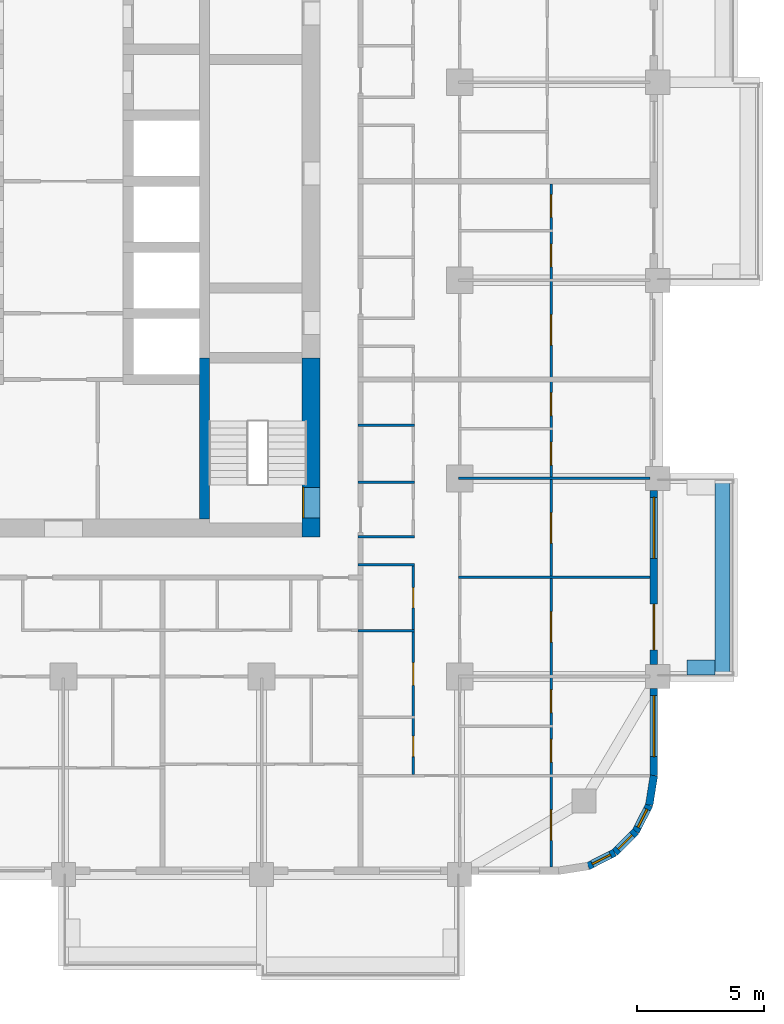
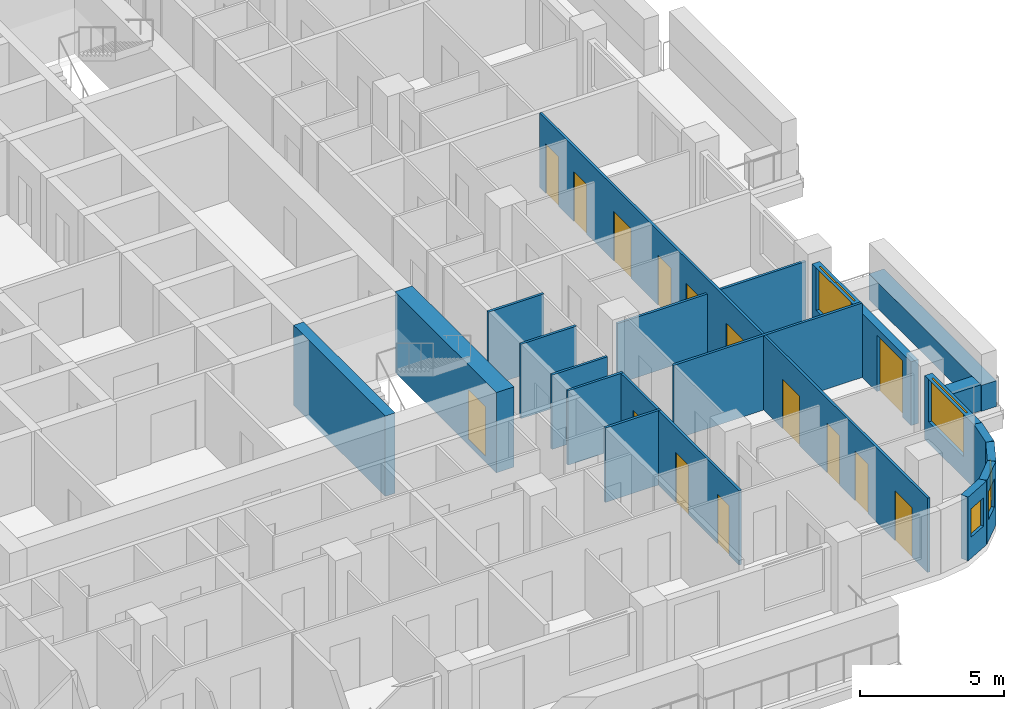
# One storey, part 8 of 18: 19 walls, 15 doors, 5 windows, 20 openings.
"""IFC4 building model written with IfcOpenShell, lengths in metres."""

from ifc_helpers import new_model, si_unit, direction, frame, frame_2d, origin, place, context, subcontext, project, spatial, rectangle, extrude, material, layer, layer_set, type_object, element, fill, save


model = new_model("IFC4")

# Units and contexts
model_context = context("Model", 3, precision=1e-05, world=origin(), true_north=direction((0.0, 1.0)))
body_context = subcontext(model_context, "Body", "Model", "MODEL_VIEW")
ifc_project = project(units=[si_unit("LENGTHUNIT", "METRE"), si_unit("AREAUNIT", "SQUARE_METRE"), si_unit("VOLUMEUNIT", "CUBIC_METRE"), si_unit("PLANEANGLEUNIT", "RADIAN"), si_unit("MASSUNIT", "GRAM", prefix="KILO")], contexts=[model_context])

# Site, building, storey
site_placement = place(None, origin())
site = spatial("IfcSite", under=ifc_project, at=site_placement, CompositionType="ELEMENT")
building_placement = place(site_placement, origin())
building = spatial("IfcBuilding", under=site, at=building_placement, Name="Ludao Terraces", CompositionType="ELEMENT")
storey_placement = place(building_placement, frame((0.0, 0.0, 75.0)))
storey = spatial("IfcBuildingStorey", under=building, at=storey_placement, Name="L20", CompositionType="ELEMENT", Elevation=75.0)

# Wall, opening, door
ifc_material_1 = material(Name="Concrete C70", Category="concrete")
ifc_layer_1 = layer(ifc_material_1, 0.699951171875)
ifc_layer_set_1 = layer_set([ifc_layer_1], Name="Core wall 700 C70")
wall_type_1 = type_object("IfcWallType", Name="Core wall 700 C70", PredefinedType="SOLIDWALL", material=ifc_layer_set_1)
wall_1_placement = place(storey_placement, frame((94.75, 54.89990234375, -0.25), z_axis=(0.0, 0.0, 1.0), x_axis=(0.0, 1.0, 0.0)))
wall_1 = element("IfcWall", 1, at=wall_1_placement, inside=storey, type_object=wall_type_1, Name="Core wall L20 outer-E-S3", PredefinedType="SOLIDWALL", context=body_context, shape_type="SweptSolid", body=[
    extrude(rectangle(XDim=7.050048828125, YDim=0.699951171875, at=frame_2d((3.52490234375, 0.0))), origin(), (0.0, 0.0, 1.0), 3.39990234375),
])
opening_1_placement = place(wall_1_placement, frame((0.75, 0.0, 0.25)))
opening_1 = element("IfcOpeningElement", 2, at=opening_1_placement, cuts=wall_1, Name="Opening R06-059", PredefinedType="OPENING", context=body_context, shape_type="SweptSolid", body=[
    extrude(rectangle(XDim=1.199951171875, YDim=2.10009765625, at=frame_2d((0.60009765625, 1.050048828125))), frame((0.0, 0.35986328125, 0.0), z_axis=(0.0, -1.0, 0.0), x_axis=(1.0, 0.0, 0.0)), (0.0, 0.0, 1.0), 0.719970703125),
])
ifc_material_2 = material(Name="Steel Q235", Category="steel")
door_type_1 = type_object("IfcDoorType", Name="INT Stair door 1200", OperationType="DOUBLE_DOOR_SINGLE_SWING", PredefinedType="DOOR", material=ifc_material_2)
door_1_placement = place(opening_1_placement, origin())
door_1 = element("IfcDoor", 3, at=door_1_placement, inside=storey, type_object=door_type_1, Name="DOOR 059", OperationType="DOUBLE_DOOR_SINGLE_SWING", OverallHeight=2.10009765625, OverallWidth=1.199951171875, PredefinedType="DOOR", context=body_context, shape_type="SweptSolid", body=[
    extrude(rectangle(XDim=1.199951171875, YDim=2.10009765625, at=frame_2d((0.60009765625, 1.050048828125))), frame((0.0, 0.3349609375, 0.0), z_axis=(0.0, -1.0, 0.0), x_axis=(1.0, 0.0, 0.0)), (0.0, 0.0, 1.0), 0.050048828125),
])
fill(opening_1, door_1)

# Walls
ifc_material_3 = material(Name="Concrete C40", Category="concrete")
ifc_layer_2 = layer(ifc_material_3, 0.60009765625)
ifc_layer_set_2 = layer_set([ifc_layer_2], Name="ENV Planter trough 600")
wall_type_2 = type_object("IfcWallType", Name="ENV Planter trough 600", PredefinedType="USERDEFINED", material=ifc_layer_set_2)
wall_2_placement = place(storey_placement, frame((110.949951171875, 49.39990234375, 0.0), z_axis=(0.0, 0.0, 1.0), x_axis=(0.0, 1.0, 0.0)))
element("IfcWall", 4, at=wall_2_placement, inside=storey, type_object=wall_type_2, Name="PL-L20-E1", ObjectType="PLANTER", PredefinedType="USERDEFINED", context=body_context, shape_type="SweptSolid", body=[
    extrude(rectangle(XDim=7.800048828125, YDim=0.60009765625, at=frame_2d((3.89990234375, 0.0))), origin(), (0.0, 0.0, 1.0), 1.10009765625),
])
wall_3_placement = place(storey_placement, frame((110.64990234375, 49.75, 0.0), z_axis=(0.0, 0.0, 1.0), x_axis=(-1.0, 0.0, 0.0)))
element("IfcWall", 5, at=wall_3_placement, inside=storey, type_object=wall_type_2, Name="PL-L20-E1-SA", ObjectType="PLANTER", PredefinedType="USERDEFINED", context=body_context, shape_type="SweptSolid", body=[
    extrude(rectangle(XDim=1.099853515625, YDim=0.60009765625, at=frame_2d((0.5498046875, 0.0))), origin(), (0.0, 0.0, 1.0), 1.10009765625),
])

# Wall, opening, window
ifc_material_4 = material(Name="Granite cladding", Category="masonry")
ifc_layer_3 = layer(ifc_material_4, 0.0400390625, Category="stone")
ifc_material_5 = material(Name="Mineral wool")
ifc_layer_4 = layer(ifc_material_5, 0.06005859375)
ifc_layer_5 = layer(ifc_material_3, 0.199951171875, Category="concrete")
ifc_layer_set_3 = layer_set([ifc_layer_3, ifc_layer_4, ifc_layer_5], Name="ENV Stone-clad wall 300")
wall_type_3 = type_object("IfcWallType", Name="ENV Stone-clad wall 300", PredefinedType="SOLIDWALL", material=ifc_layer_set_3)
wall_4_placement = place(storey_placement, frame((108.25, 45.5, 0.0), z_axis=(0.0, 0.0, 1.0), x_axis=(0.0, 1.0, 0.0)))
wall_4 = element("IfcWall", 6, at=wall_4_placement, inside=storey, type_object=wall_type_3, Name="EW-L20-E1", PredefinedType="SOLIDWALL", context=body_context, shape_type="SweptSolid", body=[
    extrude(rectangle(XDim=3.425048828125, YDim=0.300048828125, at=frame_2d((1.71240234375, 0.0))), origin(), (0.0, 0.0, 1.0), 2.699951171875),
])
opening_2_placement = place(wall_4_placement, frame((0.75, 0.0, 0.89990234375)))
opening_2 = element("IfcOpeningElement", 7, at=opening_2_placement, cuts=wall_4, Name="Opening W1", PredefinedType="OPENING", context=body_context, shape_type="SweptSolid", body=[
    extrude(rectangle(XDim=2.39990234375, YDim=1.800048828125, at=frame_2d((1.199951171875, 0.89990234375))), frame((0.0, 0.16015625, 0.0), z_axis=(0.0, -1.0, 0.0), x_axis=(1.0, 0.0, 0.0)), (0.0, 0.0, 1.0), 0.320068359375),
])
ifc_material_6 = material(Name="Clear glass in aluminium frame", Category="aluminium")
ifc_layer_6 = layer(ifc_material_6, 0.06005859375)
ifc_layer_set_4 = layer_set([ifc_layer_6], Name="ENV Window W1 2400x1800")
window_type_1 = type_object("IfcWindowType", Name="ENV Window W1 2400x1800", PartitioningType="DOUBLE_PANEL_VERTICAL", PredefinedType="WINDOW", material=ifc_layer_set_4)
window_1_placement = place(opening_2_placement, origin())
window_1 = element("IfcWindow", 8, at=window_1_placement, inside=storey, type_object=window_type_1, Name="W-L20-E1-1", OverallHeight=1.800048828125, OverallWidth=2.39990234375, PartitioningType="DOUBLE_PANEL_VERTICAL", PredefinedType="WINDOW", context=body_context, shape_type="SweptSolid", body=[
    extrude(rectangle(XDim=2.39990234375, YDim=1.800048828125, at=frame_2d((1.199951171875, 0.89990234375))), frame((0.0, 0.030029296875, 0.0), z_axis=(0.0, -1.0, 0.0), x_axis=(1.0, 0.0, 0.0)), (0.0, 0.0, 1.0), 0.06005859375),
])
fill(opening_2, window_1)

# Wall, openings, door, window
wall_5_placement = place(storey_placement, frame((108.25, 49.875, 0.0), z_axis=(0.0, 0.0, 1.0), x_axis=(0.0, 1.0, 0.0)))
wall_5 = element("IfcWall", 9, at=wall_5_placement, inside=storey, type_object=wall_type_3, Name="EW-L20-E2", PredefinedType="SOLIDWALL", context=body_context, shape_type="SweptSolid", body=[
    extrude(rectangle(XDim=6.85009765625, YDim=0.300048828125, at=frame_2d((3.425048828125, 0.0))), origin(), (0.0, 0.0, 1.0), 2.699951171875),
])
opening_3_placement = place(wall_5_placement, frame((0.574951171875, 0.0, 0.0)))
opening_3 = element("IfcOpeningElement", 10, at=opening_3_placement, cuts=wall_5, Name="Opening BD", PredefinedType="OPENING", context=body_context, shape_type="SweptSolid", body=[
    extrude(rectangle(XDim=1.800048828125, YDim=2.39990234375, at=frame_2d((0.89990234375, 1.199951171875))), frame((0.0, 0.16015625, 0.0), z_axis=(0.0, -1.0, 0.0), x_axis=(1.0, 0.0, 0.0)), (0.0, 0.0, 1.0), 0.320068359375),
])
opening_4_placement = place(wall_5_placement, frame((4.175048828125, 0.0, 0.89990234375)))
opening_4 = element("IfcOpeningElement", 11, at=opening_4_placement, cuts=wall_5, Name="Opening W1", PredefinedType="OPENING", context=body_context, shape_type="SweptSolid", body=[
    extrude(rectangle(XDim=2.39990234375, YDim=1.800048828125, at=frame_2d((1.199951171875, 0.89990234375))), frame((0.0, 0.16015625, 0.0), z_axis=(0.0, -1.0, 0.0), x_axis=(1.0, 0.0, 0.0)), (0.0, 0.0, 1.0), 0.320068359375),
])
ifc_material_7 = material(Name="Aluminium glazed door", Category="aluminium")
ifc_layer_7 = layer(ifc_material_7, 0.06005859375)
ifc_layer_set_5 = layer_set([ifc_layer_7], Name="ENV Balcony door BD 1800x2400")
door_type_2 = type_object("IfcDoorType", Name="ENV Balcony door BD 1800x2400", OperationType="DOUBLE_DOOR_SINGLE_SWING", PredefinedType="DOOR", material=ifc_layer_set_5)
door_2_placement = place(opening_3_placement, origin())
door_2 = element("IfcDoor", 12, at=door_2_placement, inside=storey, type_object=door_type_2, Name="BD-L20-E2-1", OperationType="DOUBLE_DOOR_SINGLE_SWING", OverallHeight=2.39990234375, OverallWidth=1.800048828125, PredefinedType="DOOR", context=body_context, shape_type="SweptSolid", body=[
    extrude(rectangle(XDim=1.800048828125, YDim=2.39990234375, at=frame_2d((0.89990234375, 1.199951171875))), frame((0.0, 0.02490234375, 0.0), z_axis=(0.0, -1.0, 0.0), x_axis=(1.0, 0.0, 0.0)), (0.0, 0.0, 1.0), 0.050048828125),
])
fill(opening_3, door_2)
window_2_placement = place(opening_4_placement, origin())
window_2 = element("IfcWindow", 13, at=window_2_placement, inside=storey, type_object=window_type_1, Name="W-L20-E2-2", OverallHeight=1.800048828125, OverallWidth=2.39990234375, PartitioningType="DOUBLE_PANEL_VERTICAL", PredefinedType="WINDOW", context=body_context, shape_type="SweptSolid", body=[
    extrude(rectangle(XDim=2.39990234375, YDim=1.800048828125, at=frame_2d((1.199951171875, 0.89990234375))), frame((0.0, 0.030029296875, 0.0), z_axis=(0.0, -1.0, 0.0), x_axis=(1.0, 0.0, 0.0)), (0.0, 0.0, 1.0), 0.06005859375),
])
fill(opening_4, window_2)

# Wall, opening, window
wall_6_placement = place(storey_placement, frame((105.65869140625, 41.93359375, 0.0), z_axis=(0.0, 0.0, 1.0), x_axis=(0.890988677504, 0.454025524128, 0.0)))
wall_6 = element("IfcWall", 14, at=wall_6_placement, inside=storey, type_object=wall_type_3, Name="EW-L20-SE2", PredefinedType="SOLIDWALL", context=body_context, shape_type="SweptSolid", body=[
    extrude(rectangle(XDim=1.17333984375, YDim=0.300048828125, at=frame_2d((0.586669921875, 0.0))), origin(), (0.0, 0.0, 1.0), 2.699951171875),
])
opening_5_placement = place(wall_6_placement, frame((0.1865234375, 0.0, 0.89990234375)))
opening_5 = element("IfcOpeningElement", 15, at=opening_5_placement, cuts=wall_6, Name="Opening W3", PredefinedType="OPENING", context=body_context, shape_type="SweptSolid", body=[
    extrude(rectangle(XDim=0.800048828125, YDim=1.199951171875, at=frame_2d((0.39990234375, 0.60009765625))), frame((0.0, 0.16015625, 0.0), z_axis=(0.0, -1.0, 0.0), x_axis=(1.0, 0.0, 0.0)), (0.0, 0.0, 1.0), 0.320068359375),
])
ifc_layer_8 = layer(ifc_material_6, 0.06005859375)
ifc_layer_set_6 = layer_set([ifc_layer_8], Name="ENV Window W3 800x1200")
window_type_2 = type_object("IfcWindowType", Name="ENV Window W3 800x1200", PartitioningType="SINGLE_PANEL", PredefinedType="WINDOW", material=ifc_layer_set_6)
window_3_placement = place(opening_5_placement, origin())
window_3 = element("IfcWindow", 16, at=window_3_placement, inside=storey, type_object=window_type_2, Name="W-L20-SE2", OverallHeight=1.199951171875, OverallWidth=0.800048828125, PartitioningType="SINGLE_PANEL", PredefinedType="WINDOW", context=body_context, shape_type="SweptSolid", body=[
    extrude(rectangle(XDim=0.800048828125, YDim=1.199951171875, at=frame_2d((0.39990234375, 0.60009765625))), frame((0.0, 0.030029296875, 0.0), z_axis=(0.0, -1.0, 0.0), x_axis=(1.0, 0.0, 0.0)), (0.0, 0.0, 1.0), 0.06005859375),
])
fill(opening_5, window_3)

wall_7_placement = place(storey_placement, frame((106.7041015625, 42.46630859375, 0.0), z_axis=(0.0, 0.0, 1.0), x_axis=(0.707106781187, 0.707106781187, 0.0)))
wall_7 = element("IfcWall", 17, at=wall_7_placement, inside=storey, type_object=wall_type_3, Name="EW-L20-SE3", PredefinedType="SOLIDWALL", context=body_context, shape_type="SweptSolid", body=[
    extrude(rectangle(XDim=1.173095703125, YDim=0.300048828125, at=frame_2d((0.58642578125, 0.0))), origin(), (0.0, 0.0, 1.0), 2.699951171875),
])
opening_6_placement = place(wall_7_placement, frame((0.1865234375, 0.0, 0.89990234375)))
opening_6 = element("IfcOpeningElement", 18, at=opening_6_placement, cuts=wall_7, Name="Opening W3", PredefinedType="OPENING", context=body_context, shape_type="SweptSolid", body=[
    extrude(rectangle(XDim=0.800048828125, YDim=1.199951171875, at=frame_2d((0.39990234375, 0.60009765625))), frame((0.0, 0.16015625, 0.0), z_axis=(0.0, -1.0, 0.0), x_axis=(1.0, 0.0, 0.0)), (0.0, 0.0, 1.0), 0.320068359375),
])
window_4_placement = place(opening_6_placement, origin())
window_4 = element("IfcWindow", 19, at=window_4_placement, inside=storey, type_object=window_type_2, Name="W-L20-SE3", OverallHeight=1.199951171875, OverallWidth=0.800048828125, PartitioningType="SINGLE_PANEL", PredefinedType="WINDOW", context=body_context, shape_type="SweptSolid", body=[
    extrude(rectangle(XDim=0.800048828125, YDim=1.199951171875, at=frame_2d((0.39990234375, 0.60009765625))), frame((0.0, 0.030029296875, 0.0), z_axis=(0.0, -1.0, 0.0), x_axis=(1.0, 0.0, 0.0)), (0.0, 0.0, 1.0), 0.06005859375),
])
fill(opening_6, window_4)

wall_8_placement = place(storey_placement, frame((107.53369140625, 43.2958984375, 0.0), z_axis=(0.0, 0.0, 1.0), x_axis=(0.454025524128, 0.890988677504, 0.0)))
wall_8 = element("IfcWall", 20, at=wall_8_placement, inside=storey, type_object=wall_type_3, Name="EW-L20-SE4", PredefinedType="SOLIDWALL", context=body_context, shape_type="SweptSolid", body=[
    extrude(rectangle(XDim=1.17333984375, YDim=0.300048828125, at=frame_2d((0.586669921875, 0.0))), origin(), (0.0, 0.0, 1.0), 2.699951171875),
])
opening_7_placement = place(wall_8_placement, frame((0.1865234375, 0.0, 0.89990234375)))
opening_7 = element("IfcOpeningElement", 21, at=opening_7_placement, cuts=wall_8, Name="Opening W3", PredefinedType="OPENING", context=body_context, shape_type="SweptSolid", body=[
    extrude(rectangle(XDim=0.800048828125, YDim=1.199951171875, at=frame_2d((0.39990234375, 0.60009765625))), frame((0.0, 0.16015625, 0.0), z_axis=(0.0, -1.0, 0.0), x_axis=(1.0, 0.0, 0.0)), (0.0, 0.0, 1.0), 0.320068359375),
])
window_5_placement = place(opening_7_placement, origin())
window_5 = element("IfcWindow", 22, at=window_5_placement, inside=storey, type_object=window_type_2, Name="W-L20-SE4", OverallHeight=1.199951171875, OverallWidth=0.800048828125, PartitioningType="SINGLE_PANEL", PredefinedType="WINDOW", context=body_context, shape_type="SweptSolid", body=[
    extrude(rectangle(XDim=0.800048828125, YDim=1.199951171875, at=frame_2d((0.39990234375, 0.60009765625))), frame((0.0, 0.030029296875, 0.0), z_axis=(0.0, -1.0, 0.0), x_axis=(1.0, 0.0, 0.0)), (0.0, 0.0, 1.0), 0.06005859375),
])
fill(opening_7, window_5)

# Walls
wall_9_placement = place(storey_placement, frame((108.06640625, 44.34130859375, 0.0), z_axis=(0.0, 0.0, 1.0), x_axis=(0.156496880861, 0.987678452879, 0.0)))
element("IfcWall", 23, at=wall_9_placement, inside=storey, type_object=wall_type_3, Name="EW-L20-SE5", PredefinedType="SOLIDWALL", context=body_context, shape_type="SweptSolid", body=[
    extrude(rectangle(XDim=1.173095703125, YDim=0.300048828125, at=frame_2d((0.58642578125, 0.0))), origin(), (0.0, 0.0, 1.0), 2.699951171875),
])
ifc_material_8 = material(Name="Gypsum plasterboard", Category="gypsum")
ifc_layer_9 = layer(ifc_material_8, 0.012451171875, Category="gypsum")
ifc_layer_10 = layer(ifc_material_5, 0.06005859375, Name="insulation")
ifc_layer_11 = layer(ifc_material_2, 0.014892578125, Name="stud")
ifc_layer_12 = layer(ifc_material_8, 0.012451171875, Category="gypsum")
ifc_layer_set_7 = layer_set([ifc_layer_9, ifc_layer_10, ifc_layer_11, ifc_layer_12], Name="INT Partition 100")
wall_type_4 = type_object("IfcWallType", Name="INT Partition 100", PredefinedType="PARTITIONING", material=ifc_layer_set_7)
wall_10_placement = place(storey_placement, frame((96.60009765625, 51.199951171875, 0.0), z_axis=(0.0, 0.0, 1.0), x_axis=(1.0, 0.0, 0.0)))
element("IfcWall", 24, at=wall_10_placement, inside=storey, type_object=wall_type_4, Name="PW-L20-PW012", PredefinedType="PARTITIONING", context=body_context, shape_type="SweptSolid", body=[
    extrude(rectangle(XDim=2.219970703125, YDim=0.10009765625, at=frame_2d((1.10986328125, 0.0))), origin(), (0.0, 0.0, 1.0), 3.14990234375),
])
wall_11_placement = place(storey_placement, frame((100.550048828125, 53.300048828125, 0.0), z_axis=(0.0, 0.0, 1.0), x_axis=(1.0, 0.0, 0.0)))
element("IfcWall", 25, at=wall_11_placement, inside=storey, type_object=wall_type_4, Name="PW-L20-PW021", PredefinedType="PARTITIONING", context=body_context, shape_type="SweptSolid", body=[
    extrude(rectangle(XDim=7.550048828125, YDim=0.10009765625, at=frame_2d((3.77490234375, 0.0))), origin(), (0.0, 0.0, 1.0), 3.14990234375),
])
for number, where, z_axis, x_axis, name in (
    (26, (96.60009765625, 53.800048828125, 0.0), (0.0, 0.0, 1.0), (1.0, 0.0, 0.0), "PW-L20-PW022"),
    (27, (96.60009765625, 54.89990234375, 0.0), (0.0, 0.0, 1.0), (1.0, 0.0, 0.0), "PW-L20-PW024"),
    (28, (96.60009765625, 57.050048828125, 0.0), (0.0, 0.0, 1.0), (1.0, 0.0, 0.0), "PW-L20-PW026"),
):
    element("IfcWall", number, at=place(storey_placement, frame(where, z_axis=z_axis, x_axis=x_axis)), inside=storey, type_object=wall_type_4, Name=name, PredefinedType="PARTITIONING", context=body_context, shape_type="SweptSolid", body=[
        extrude(rectangle(XDim=2.219970703125, YDim=0.10009765625, at=frame_2d((1.10986328125, 0.0))), origin(), (0.0, 0.0, 1.0), 3.14990234375),
    ])
wall_12_placement = place(storey_placement, frame((100.550048828125, 57.199951171875, 0.0), z_axis=(0.0, 0.0, 1.0), x_axis=(1.0, 0.0, 0.0)))
element("IfcWall", 29, at=wall_12_placement, inside=storey, type_object=wall_type_4, Name="PW-L20-PW028", PredefinedType="PARTITIONING", context=body_context, shape_type="SweptSolid", body=[
    extrude(rectangle(XDim=7.550048828125, YDim=0.10009765625, at=frame_2d((3.77490234375, 0.0))), origin(), (0.0, 0.0, 1.0), 2.550048828125),
])
wall_13_placement = place(storey_placement, frame((96.60009765625, 59.300048828125, 0.0), z_axis=(0.0, 0.0, 1.0), x_axis=(1.0, 0.0, 0.0)))
element("IfcWall", 30, at=wall_13_placement, inside=storey, type_object=wall_type_4, Name="PW-L20-PW032", PredefinedType="PARTITIONING", context=body_context, shape_type="SweptSolid", body=[
    extrude(rectangle(XDim=2.219970703125, YDim=0.10009765625, at=frame_2d((1.10986328125, 0.0))), origin(), (0.0, 0.0, 1.0), 3.14990234375),
])

# Wall, openings, doors
wall_14_placement = place(storey_placement, frame((98.77001953125, 45.550048828125, 0.0), z_axis=(0.0, 0.0, 1.0), x_axis=(0.0, 1.0, 0.0)))
wall_14 = element("IfcWall", 31, at=wall_14_placement, inside=storey, type_object=wall_type_4, Name="PW-L20-PW118", PredefinedType="PARTITIONING", context=body_context, shape_type="SweptSolid", body=[
    extrude(rectangle(XDim=8.199951171875, YDim=0.10009765625, at=frame_2d((4.10009765625, 0.0))), origin(), (0.0, 0.0, 1.0), 3.14990234375),
])
opening_8_placement = place(wall_14_placement, frame((0.699951171875, 0.0, 0.0)))
opening_8 = element("IfcOpeningElement", 32, at=opening_8_placement, cuts=wall_14, Name="Opening R06-018", PredefinedType="OPENING", context=body_context, shape_type="SweptSolid", body=[
    extrude(rectangle(XDim=0.800048828125, YDim=2.10009765625, at=frame_2d((0.39990234375, 1.050048828125))), frame((0.0, 0.06005859375, 0.0), z_axis=(0.0, -1.0, 0.0), x_axis=(1.0, 0.0, 0.0)), (0.0, 0.0, 1.0), 0.1201171875),
])
opening_9_placement = place(wall_14_placement, frame((3.5, 0.0, 0.0)))
opening_9 = element("IfcOpeningElement", 33, at=opening_9_placement, cuts=wall_14, Name="Opening R06-030", PredefinedType="OPENING", context=body_context, shape_type="SweptSolid", body=[
    extrude(rectangle(XDim=0.89990234375, YDim=2.10009765625, at=frame_2d((0.449951171875, 1.050048828125))), frame((0.0, 0.06005859375, 0.0), z_axis=(0.0, -1.0, 0.0), x_axis=(1.0, 0.0, 0.0)), (0.0, 0.0, 1.0), 0.1201171875),
])
opening_10_placement = place(wall_14_placement, frame((6.550048828125, 0.0, 0.0)))
opening_10 = element("IfcOpeningElement", 34, at=opening_10_placement, cuts=wall_14, Name="Opening R06-046", PredefinedType="OPENING", context=body_context, shape_type="SweptSolid", body=[
    extrude(rectangle(XDim=0.800048828125, YDim=2.10009765625, at=frame_2d((0.39990234375, 1.050048828125))), frame((0.0, 0.06005859375, 0.0), z_axis=(0.0, -1.0, 0.0), x_axis=(1.0, 0.0, 0.0)), (0.0, 0.0, 1.0), 0.1201171875),
])
ifc_material_9 = material(Name="Timber door leaf", Category="wood")
door_type_3 = type_object("IfcDoorType", Name="INT Room door 900", OperationType="SINGLE_SWING_LEFT", PredefinedType="DOOR", material=ifc_material_9)
door_3_placement = place(opening_9_placement, origin())
door_3 = element("IfcDoor", 35, at=door_3_placement, inside=storey, type_object=door_type_3, Name="DOOR 030", OperationType="SINGLE_SWING_LEFT", OverallHeight=2.10009765625, OverallWidth=0.89990234375, PredefinedType="DOOR", context=body_context, shape_type="SweptSolid", body=[
    extrude(rectangle(XDim=0.89990234375, YDim=2.10009765625, at=frame_2d((0.449951171875, 1.050048828125))), frame((0.0, 0.02490234375, 0.0), z_axis=(0.0, -1.0, 0.0), x_axis=(1.0, 0.0, 0.0)), (0.0, 0.0, 1.0), 0.050048828125),
])
fill(opening_9, door_3)
door_type_4 = type_object("IfcDoorType", Name="INT Store door 800", OperationType="SINGLE_SWING_LEFT", PredefinedType="DOOR", material=ifc_material_9)
door_4_placement = place(opening_8_placement, origin())
door_4 = element("IfcDoor", 36, at=door_4_placement, inside=storey, type_object=door_type_4, Name="DOOR 018", OperationType="SINGLE_SWING_RIGHT", OverallHeight=2.10009765625, OverallWidth=0.800048828125, PredefinedType="DOOR", context=body_context, shape_type="SweptSolid", body=[
    extrude(rectangle(XDim=0.800048828125, YDim=2.10009765625, at=frame_2d((0.39990234375, 1.050048828125))), frame((0.0, 0.02490234375, 0.0), z_axis=(0.0, -1.0, 0.0), x_axis=(1.0, 0.0, 0.0)), (0.0, 0.0, 1.0), 0.050048828125),
])
fill(opening_8, door_4)
door_5_placement = place(opening_10_placement, origin())
door_5 = element("IfcDoor", 37, at=door_5_placement, inside=storey, type_object=door_type_4, Name="DOOR 046", OperationType="SINGLE_SWING_LEFT", OverallHeight=2.10009765625, OverallWidth=0.800048828125, PredefinedType="DOOR", context=body_context, shape_type="SweptSolid", body=[
    extrude(rectangle(XDim=0.800048828125, YDim=2.10009765625, at=frame_2d((0.39990234375, 1.050048828125))), frame((0.0, 0.02490234375, 0.0), z_axis=(0.0, -1.0, 0.0), x_axis=(1.0, 0.0, 0.0)), (0.0, 0.0, 1.0), 0.050048828125),
])
fill(opening_10, door_5)

wall_15_placement = place(storey_placement, frame((104.199951171875, 41.900146484375, 0.0), z_axis=(0.0, 0.0, 1.0), x_axis=(0.0, 1.0, 0.0)))
wall_15 = element("IfcWall", 38, at=wall_15_placement, inside=storey, type_object=wall_type_4, Name="PW-L20-PW125", PredefinedType="PARTITIONING", context=body_context, shape_type="SweptSolid", body=[
    extrude(rectangle(XDim=26.89990234375, YDim=0.10009765625, at=frame_2d((13.449951171875, 0.0))), origin(), (0.0, 0.0, 1.0), 3.14990234375),
])
opening_11_placement = place(wall_15_placement, frame((1.050048828125, 0.0, 0.0)))
opening_11 = element("IfcOpeningElement", 39, at=opening_11_placement, cuts=wall_15, Name="Opening R06-004", PredefinedType="OPENING", context=body_context, shape_type="SweptSolid", body=[
    extrude(rectangle(XDim=1.199951171875, YDim=2.10009765625, at=frame_2d((0.60009765625, 1.050048828125))), frame((0.0, 0.06005859375, 0.0), z_axis=(0.0, -1.0, 0.0), x_axis=(1.0, 0.0, 0.0)), (0.0, 0.0, 1.0), 0.1201171875),
])
opening_12_placement = place(wall_15_placement, frame((4.125, 0.0, 0.0)))
opening_12 = element("IfcOpeningElement", 40, at=opening_12_placement, cuts=wall_15, Name="Opening R06-016", PredefinedType="OPENING", context=body_context, shape_type="SweptSolid", body=[
    extrude(rectangle(XDim=0.89990234375, YDim=2.10009765625, at=frame_2d((0.449951171875, 1.050048828125))), frame((0.0, 0.06005859375, 0.0), z_axis=(0.0, -1.0, 0.0), x_axis=(1.0, 0.0, 0.0)), (0.0, 0.0, 1.0), 0.1201171875),
])
opening_13_placement = place(wall_15_placement, frame((6.074951171875, 0.0, 0.0)))
opening_13 = element("IfcOpeningElement", 41, at=opening_13_placement, cuts=wall_15, Name="Opening R06-022", PredefinedType="OPENING", context=body_context, shape_type="SweptSolid", body=[
    extrude(rectangle(XDim=0.89990234375, YDim=2.10009765625, at=frame_2d((0.449951171875, 1.050048828125))), frame((0.0, 0.06005859375, 0.0), z_axis=(0.0, -1.0, 0.0), x_axis=(1.0, 0.0, 0.0)), (0.0, 0.0, 1.0), 0.1201171875),
])
opening_14_placement = place(wall_15_placement, frame((8.85009765625, 0.0, 0.0)))
opening_14 = element("IfcOpeningElement", 42, at=opening_14_placement, cuts=wall_15, Name="Opening R06-043", PredefinedType="OPENING", context=body_context, shape_type="SweptSolid", body=[
    extrude(rectangle(XDim=1.199951171875, YDim=2.10009765625, at=frame_2d((0.60009765625, 1.050048828125))), frame((0.0, 0.06005859375, 0.0), z_axis=(0.0, -1.0, 0.0), x_axis=(1.0, 0.0, 0.0)), (0.0, 0.0, 1.0), 0.1201171875),
])
opening_15_placement = place(wall_15_placement, frame((12.75, 0.0, 0.0)))
opening_15 = element("IfcOpeningElement", 43, at=opening_15_placement, cuts=wall_15, Name="Opening R06-055", PredefinedType="OPENING", context=body_context, shape_type="SweptSolid", body=[
    extrude(rectangle(XDim=1.199951171875, YDim=2.10009765625, at=frame_2d((0.60009765625, 1.050048828125))), frame((0.0, 0.06005859375, 0.0), z_axis=(0.0, -1.0, 0.0), x_axis=(1.0, 0.0, 0.0)), (0.0, 0.0, 1.0), 0.1201171875),
])
opening_16_placement = place(wall_15_placement, frame((15.824951171875, 0.0, 0.0)))
opening_16 = element("IfcOpeningElement", 44, at=opening_16_placement, cuts=wall_15, Name="Opening R06-065", PredefinedType="OPENING", context=body_context, shape_type="SweptSolid", body=[
    extrude(rectangle(XDim=0.89990234375, YDim=2.10009765625, at=frame_2d((0.449951171875, 1.050048828125))), frame((0.0, 0.06005859375, 0.0), z_axis=(0.0, -1.0, 0.0), x_axis=(1.0, 0.0, 0.0)), (0.0, 0.0, 1.0), 0.1201171875),
])
opening_17_placement = place(wall_15_placement, frame((17.77490234375, 0.0, 0.0)))
opening_17 = element("IfcOpeningElement", 45, at=opening_17_placement, cuts=wall_15, Name="Opening R06-070", PredefinedType="OPENING", context=body_context, shape_type="SweptSolid", body=[
    extrude(rectangle(XDim=0.89990234375, YDim=2.10009765625, at=frame_2d((0.449951171875, 1.050048828125))), frame((0.0, 0.06005859375, 0.0), z_axis=(0.0, -1.0, 0.0), x_axis=(1.0, 0.0, 0.0)), (0.0, 0.0, 1.0), 0.1201171875),
])
opening_18_placement = place(wall_15_placement, frame((20.550048828125, 0.0, 0.0)))
opening_18 = element("IfcOpeningElement", 46, at=opening_18_placement, cuts=wall_15, Name="Opening R06-080", PredefinedType="OPENING", context=body_context, shape_type="SweptSolid", body=[
    extrude(rectangle(XDim=1.199951171875, YDim=2.10009765625, at=frame_2d((0.60009765625, 1.050048828125))), frame((0.0, 0.06005859375, 0.0), z_axis=(0.0, -1.0, 0.0), x_axis=(1.0, 0.0, 0.0)), (0.0, 0.0, 1.0), 0.1201171875),
])
opening_19_placement = place(wall_15_placement, frame((23.625, 0.0, 0.0)))
opening_19 = element("IfcOpeningElement", 47, at=opening_19_placement, cuts=wall_15, Name="Opening R06-088", PredefinedType="OPENING", context=body_context, shape_type="SweptSolid", body=[
    extrude(rectangle(XDim=0.89990234375, YDim=2.10009765625, at=frame_2d((0.449951171875, 1.050048828125))), frame((0.0, 0.06005859375, 0.0), z_axis=(0.0, -1.0, 0.0), x_axis=(1.0, 0.0, 0.0)), (0.0, 0.0, 1.0), 0.1201171875),
])
opening_20_placement = place(wall_15_placement, frame((25.574951171875, 0.0, 0.0)))
opening_20 = element("IfcOpeningElement", 48, at=opening_20_placement, cuts=wall_15, Name="Opening R06-097", PredefinedType="OPENING", context=body_context, shape_type="SweptSolid", body=[
    extrude(rectangle(XDim=0.89990234375, YDim=2.10009765625, at=frame_2d((0.449951171875, 1.050048828125))), frame((0.0, 0.06005859375, 0.0), z_axis=(0.0, -1.0, 0.0), x_axis=(1.0, 0.0, 0.0)), (0.0, 0.0, 1.0), 0.1201171875),
])
door_type_5 = type_object("IfcDoorType", Name="INT Bathroom door 900", OperationType="SINGLE_SWING_LEFT", PredefinedType="DOOR", material=ifc_material_9)
door_6_placement = place(opening_12_placement, origin())
door_6 = element("IfcDoor", 49, at=door_6_placement, inside=storey, type_object=door_type_5, Name="DOOR 016", OperationType="SINGLE_SWING_LEFT", OverallHeight=2.10009765625, OverallWidth=0.89990234375, PredefinedType="DOOR", context=body_context, shape_type="SweptSolid", body=[
    extrude(rectangle(XDim=0.89990234375, YDim=2.10009765625, at=frame_2d((0.449951171875, 1.050048828125))), frame((0.0, 0.02490234375, 0.0), z_axis=(0.0, -1.0, 0.0), x_axis=(1.0, 0.0, 0.0)), (0.0, 0.0, 1.0), 0.050048828125),
])
fill(opening_12, door_6)
door_7_placement = place(opening_16_placement, origin())
door_7 = element("IfcDoor", 50, at=door_7_placement, inside=storey, type_object=door_type_5, Name="DOOR 065", OperationType="SINGLE_SWING_RIGHT", OverallHeight=2.10009765625, OverallWidth=0.89990234375, PredefinedType="DOOR", context=body_context, shape_type="SweptSolid", body=[
    extrude(rectangle(XDim=0.89990234375, YDim=2.10009765625, at=frame_2d((0.449951171875, 1.050048828125))), frame((0.0, 0.02490234375, 0.0), z_axis=(0.0, -1.0, 0.0), x_axis=(1.0, 0.0, 0.0)), (0.0, 0.0, 1.0), 0.050048828125),
])
fill(opening_16, door_7)
door_8_placement = place(opening_19_placement, origin())
door_8 = element("IfcDoor", 51, at=door_8_placement, inside=storey, type_object=door_type_5, Name="DOOR 088", OperationType="SINGLE_SWING_RIGHT", OverallHeight=2.10009765625, OverallWidth=0.89990234375, PredefinedType="DOOR", context=body_context, shape_type="SweptSolid", body=[
    extrude(rectangle(XDim=0.89990234375, YDim=2.10009765625, at=frame_2d((0.449951171875, 1.050048828125))), frame((0.0, 0.02490234375, 0.0), z_axis=(0.0, -1.0, 0.0), x_axis=(1.0, 0.0, 0.0)), (0.0, 0.0, 1.0), 0.050048828125),
])
fill(opening_19, door_8)
door_type_6 = type_object("IfcDoorType", Name="INT Double door 1200", OperationType="DOUBLE_DOOR_SINGLE_SWING", PredefinedType="DOOR", material=ifc_material_9)
door_9_placement = place(opening_11_placement, origin())
door_9 = element("IfcDoor", 52, at=door_9_placement, inside=storey, type_object=door_type_6, Name="DOOR 004", OperationType="DOUBLE_DOOR_SINGLE_SWING", OverallHeight=2.10009765625, OverallWidth=1.199951171875, PredefinedType="DOOR", context=body_context, shape_type="SweptSolid", body=[
    extrude(rectangle(XDim=1.199951171875, YDim=2.10009765625, at=frame_2d((0.60009765625, 1.050048828125))), frame((0.0, 0.02490234375, 0.0), z_axis=(0.0, -1.0, 0.0), x_axis=(1.0, 0.0, 0.0)), (0.0, 0.0, 1.0), 0.050048828125),
])
fill(opening_11, door_9)
door_10_placement = place(opening_14_placement, origin())
door_10 = element("IfcDoor", 53, at=door_10_placement, inside=storey, type_object=door_type_6, Name="DOOR 043", OperationType="DOUBLE_DOOR_SINGLE_SWING", OverallHeight=2.10009765625, OverallWidth=1.199951171875, PredefinedType="DOOR", context=body_context, shape_type="SweptSolid", body=[
    extrude(rectangle(XDim=1.199951171875, YDim=2.10009765625, at=frame_2d((0.60009765625, 1.050048828125))), frame((0.0, 0.02490234375, 0.0), z_axis=(0.0, -1.0, 0.0), x_axis=(1.0, 0.0, 0.0)), (0.0, 0.0, 1.0), 0.050048828125),
])
fill(opening_14, door_10)
door_11_placement = place(opening_15_placement, origin())
door_11 = element("IfcDoor", 54, at=door_11_placement, inside=storey, type_object=door_type_6, Name="DOOR 055", OperationType="DOUBLE_DOOR_SINGLE_SWING", OverallHeight=2.10009765625, OverallWidth=1.199951171875, PredefinedType="DOOR", context=body_context, shape_type="SweptSolid", body=[
    extrude(rectangle(XDim=1.199951171875, YDim=2.10009765625, at=frame_2d((0.60009765625, 1.050048828125))), frame((0.0, 0.02490234375, 0.0), z_axis=(0.0, -1.0, 0.0), x_axis=(1.0, 0.0, 0.0)), (0.0, 0.0, 1.0), 0.050048828125),
])
fill(opening_15, door_11)
door_12_placement = place(opening_18_placement, origin())
door_12 = element("IfcDoor", 55, at=door_12_placement, inside=storey, type_object=door_type_6, Name="DOOR 080", OperationType="DOUBLE_DOOR_SINGLE_SWING", OverallHeight=2.10009765625, OverallWidth=1.199951171875, PredefinedType="DOOR", context=body_context, shape_type="SweptSolid", body=[
    extrude(rectangle(XDim=1.199951171875, YDim=2.10009765625, at=frame_2d((0.60009765625, 1.050048828125))), frame((0.0, 0.02490234375, 0.0), z_axis=(0.0, -1.0, 0.0), x_axis=(1.0, 0.0, 0.0)), (0.0, 0.0, 1.0), 0.050048828125),
])
fill(opening_18, door_12)
door_13_placement = place(opening_13_placement, origin())
door_13 = element("IfcDoor", 56, at=door_13_placement, inside=storey, type_object=door_type_3, Name="DOOR 022", OperationType="SINGLE_SWING_RIGHT", OverallHeight=2.10009765625, OverallWidth=0.89990234375, PredefinedType="DOOR", context=body_context, shape_type="SweptSolid", body=[
    extrude(rectangle(XDim=0.89990234375, YDim=2.10009765625, at=frame_2d((0.449951171875, 1.050048828125))), frame((0.0, 0.02490234375, 0.0), z_axis=(0.0, -1.0, 0.0), x_axis=(1.0, 0.0, 0.0)), (0.0, 0.0, 1.0), 0.050048828125),
])
fill(opening_13, door_13)
door_14_placement = place(opening_17_placement, origin())
door_14 = element("IfcDoor", 57, at=door_14_placement, inside=storey, type_object=door_type_3, Name="DOOR 070", OperationType="SINGLE_SWING_RIGHT", OverallHeight=2.10009765625, OverallWidth=0.89990234375, PredefinedType="DOOR", context=body_context, shape_type="SweptSolid", body=[
    extrude(rectangle(XDim=0.89990234375, YDim=2.10009765625, at=frame_2d((0.449951171875, 1.050048828125))), frame((0.0, 0.02490234375, 0.0), z_axis=(0.0, -1.0, 0.0), x_axis=(1.0, 0.0, 0.0)), (0.0, 0.0, 1.0), 0.050048828125),
])
fill(opening_17, door_14)
door_15_placement = place(opening_20_placement, origin())
door_15 = element("IfcDoor", 58, at=door_15_placement, inside=storey, type_object=door_type_3, Name="DOOR 097", OperationType="SINGLE_SWING_RIGHT", OverallHeight=2.10009765625, OverallWidth=0.89990234375, PredefinedType="DOOR", context=body_context, shape_type="SweptSolid", body=[
    extrude(rectangle(XDim=0.89990234375, YDim=2.10009765625, at=frame_2d((0.449951171875, 1.050048828125))), frame((0.0, 0.02490234375, 0.0), z_axis=(0.0, -1.0, 0.0), x_axis=(1.0, 0.0, 0.0)), (0.0, 0.0, 1.0), 0.050048828125),
])
fill(opening_20, door_15)

# Wall
ifc_material_10 = material(Name="Concrete C60", Category="concrete")
ifc_layer_13 = layer(ifc_material_10, 0.39990234375)
ifc_layer_set_8 = layer_set([ifc_layer_13], Name="Shaft wall 400 C60")
wall_type_5 = type_object("IfcWallType", Name="Shaft wall 400 C60", PredefinedType="SOLIDWALL", material=ifc_layer_set_8)
wall_16_placement = place(storey_placement, frame((90.550048828125, 55.60009765625, -0.25), z_axis=(0.0, 0.0, 1.0), x_axis=(0.0, 1.0, 0.0)))
element("IfcWall", 59, at=wall_16_placement, inside=storey, type_object=wall_type_5, Name="Core wall L20 back-E-S3", PredefinedType="SOLIDWALL", context=body_context, shape_type="SweptSolid", body=[
    extrude(rectangle(XDim=6.349853515625, YDim=0.39990234375, at=frame_2d((3.1748046875, 0.0))), origin(), (0.0, 0.0, 1.0), 3.39990234375),
])

save(model, "model.ifc")
